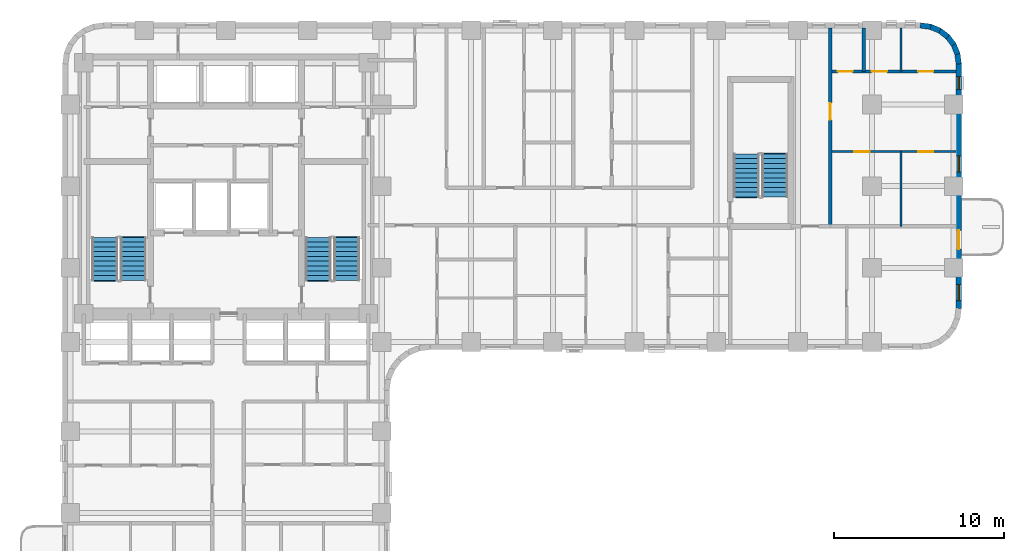
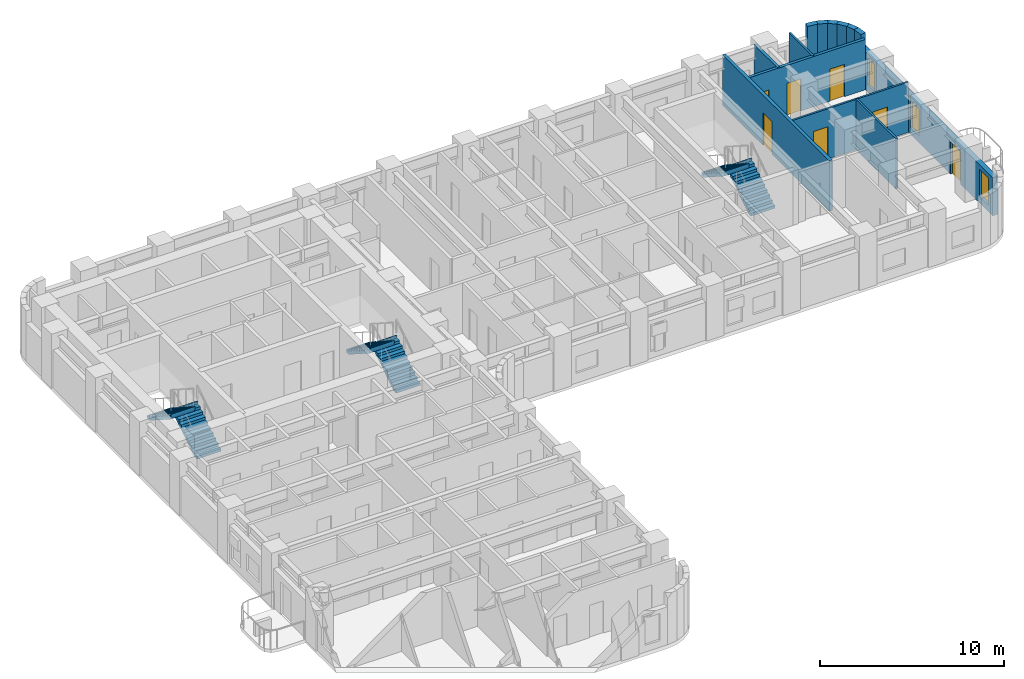
# One storey, part 8 of 10: 13 walls, 7 doors, 6 stair flights, 3 windows, 10 openings, 3 elements without a shape of their own.
"""IFC4 building model written with IfcOpenShell, lengths in metres."""

from ifc_helpers import new_model, si_unit, direction, frame, frame_2d, origin, place, context, subcontext, project, spatial, polyline, rectangle, outline, extrude, material, layer, layer_set, type_object, element, fill, aggregate, save


model = new_model("IFC4")

# Units and contexts
model_context = context("Model", 3, precision=1e-05, world=origin(), true_north=direction((0.0, 1.0)))
body_context = subcontext(model_context, "Body", "Model", "MODEL_VIEW")
ifc_project = project(units=[si_unit("LENGTHUNIT", "METRE"), si_unit("AREAUNIT", "SQUARE_METRE"), si_unit("VOLUMEUNIT", "CUBIC_METRE"), si_unit("PLANEANGLEUNIT", "RADIAN"), si_unit("MASSUNIT", "GRAM", prefix="KILO")], contexts=[model_context])

# Site, building, storey
site_placement = place(None, origin())
site = spatial("IfcSite", under=ifc_project, at=site_placement, CompositionType="ELEMENT")
building_placement = place(site_placement, origin())
building = spatial("IfcBuilding", under=site, at=building_placement, Name="Orvandelia Arch Residences", CompositionType="ELEMENT")
storey_placement = place(building_placement, frame((0.0, 0.0, 28.60009765625)))
storey = spatial("IfcBuildingStorey", under=building, at=storey_placement, Name="L06", CompositionType="ELEMENT", Elevation=28.60009765625)

# Wall, opening, door
ifc_material_1 = material(Name="Fire-Rated Corridor Partition")
ifc_layer_1 = layer(ifc_material_1, 0.199951171875, Name="Fire-Rated Corridor Partition")
ifc_layer_set_1 = layer_set([ifc_layer_1], Name="Fire-Rated Corridor Partition")
wall_type_1 = type_object("IfcWallType", Name="WL-CORR-200", PredefinedType="PARTITIONING", material=ifc_layer_set_1)
wall_1_placement = place(storey_placement, frame((49.89990234375, 36.0400390625, 0.0), z_axis=(0.0, 0.0, 1.0), x_axis=(0.0, 1.0, 0.0)))
wall_1 = element("IfcWall", 1, at=wall_1_placement, inside=storey, type_object=wall_type_1, Name="Interior Partition Wall WL-L06-ETE-E", PredefinedType="PARTITIONING", context=body_context, shape_type="SweptSolid", body=[
    extrude(rectangle(XDim=11.639892578125, YDim=0.199951171875, at=frame_2d((5.81982421875, 0.0))), origin(), (0.0, 0.0, 1.0), 3.349853515625),
])
opening_1_placement = place(wall_1_placement, frame((6.25146484375, 0.0, 0.0)))
opening_1 = element("IfcOpeningElement", 2, at=opening_1_placement, cuts=wall_1, Name="Opening D1", PredefinedType="OPENING", context=body_context, shape_type="SweptSolid", body=[
    extrude(rectangle(XDim=0.97998046875, YDim=2.179931640625, at=frame_2d((0.489990234375, 1.08984375))), frame((0.0, 0.10986328125, 0.0), z_axis=(0.0, -1.0, 0.0), x_axis=(1.0, 0.0, 0.0)), (0.0, 0.0, 1.0), 0.219970703125),
])
ifc_material_2 = material(Name="Solid-Core Timber Acoustic Fire Door", Category="wood")
door_type_1 = type_object("IfcDoorType", Name="DR-ENT-980", OperationType="NOTDEFINED", PredefinedType="DOOR", material=ifc_material_2)
door_1_placement = place(opening_1_placement, origin())
door_1 = element("IfcDoor", 3, at=door_1_placement, inside=storey, type_object=door_type_1, Name="Unit L06-11 Entrance Door", OperationType="SINGLE_SWING_LEFT", OverallHeight=2.179931640625, OverallWidth=0.97998046875, PredefinedType="DOOR", context=body_context, shape_type="SweptSolid", body=[
    extrude(rectangle(XDim=0.97998046875, YDim=2.179931640625, at=frame_2d((0.489990234375, 1.08984375))), frame((0.0, 0.02490234375, 0.0), z_axis=(0.0, -1.0, 0.0), x_axis=(1.0, 0.0, 0.0)), (0.0, 0.0, 1.0), 0.050048828125),
])
fill(opening_1, door_1)

# Walls
ifc_material_3 = material(Name="Precast concrete C40/50", Category="concrete")
ifc_layer_2 = layer(ifc_material_3, 0.320068359375, Name="Precast concrete C40/50", Category="concrete")
ifc_layer_set_2 = layer_set([ifc_layer_2], Name="Precast concrete C40/50")
wall_type_2 = type_object("IfcWallType", Name="WL-EXT-STONE-320", PredefinedType="STANDARD", material=ifc_layer_set_2)
for number, where, z_axis, x_axis, name in (
    (4, (55.17919921875, 47.84130859375, 0.0), (0.0, 0.0, 1.0), (0.9914410257, -0.130555323746, 0.0), "Coral-Limestone Precast Facade Wall L06-008"),
    (5, (55.760009765625, 47.7705078125, 0.0), (0.0, 0.0, 1.0), (0.92389335771, -0.382650053678, 0.0), "Coral-Limestone Precast Facade Wall L06-009"),
):
    element("IfcWall", number, at=place(storey_placement, frame(where, z_axis=z_axis, x_axis=x_axis)), inside=storey, type_object=wall_type_2, Name=name, PredefinedType="STANDARD", context=body_context, shape_type="SweptSolid", body=[
        extrude(rectangle(XDim=0.62646484375, YDim=0.320068359375, at=frame_2d((0.313232421875, 0.0))), origin(), (0.0, 0.0, 1.0), 3.349853515625),
    ])
wall_2_placement = place(storey_placement, frame((56.302490234375, 47.551513671875, 0.0), z_axis=(0.0, 0.0, 1.0), x_axis=(0.793549926411, -0.608505147302, 0.0)))
element("IfcWall", 6, at=wall_2_placement, inside=storey, type_object=wall_type_2, Name="Coral-Limestone Precast Facade Wall L06-010", PredefinedType="STANDARD", context=body_context, shape_type="SweptSolid", body=[
    extrude(rectangle(XDim=0.626708984375, YDim=0.320068359375, at=frame_2d((0.3134765625, 0.0))), origin(), (0.0, 0.0, 1.0), 3.349853515625),
])
for number, where, z_axis, x_axis, name in (
    (7, (56.770263671875, 47.19970703125, 0.0), (0.0, 0.0, 1.0), (0.608693302629, -0.793405610854, 0.0), "Coral-Limestone Precast Facade Wall L06-011"),
    (8, (57.130615234375, 46.73876953125, 0.0), (0.0, 0.0, 1.0), (0.382650053678, -0.92389335771, 0.0), "Coral-Limestone Precast Facade Wall L06-012"),
    (9, (57.359619140625, 46.2001953125, 0.0), (0.0, 0.0, 1.0), (0.130555323746, -0.9914410257, 0.0), "Coral-Limestone Precast Facade Wall L06-013"),
):
    element("IfcWall", number, at=place(storey_placement, frame(where, z_axis=z_axis, x_axis=x_axis)), inside=storey, type_object=wall_type_2, Name=name, PredefinedType="STANDARD", context=body_context, shape_type="SweptSolid", body=[
        extrude(rectangle(XDim=0.62646484375, YDim=0.320068359375, at=frame_2d((0.313232421875, 0.0))), origin(), (0.0, 0.0, 1.0), 3.349853515625),
    ])

# Wall, openings, door, windows
wall_3_placement = place(storey_placement, frame((57.43994140625, 45.60009765625, 0.0), z_axis=(0.0, 0.0, 1.0), x_axis=(0.0, -1.0, 0.0)))
wall_3 = element("IfcWall", 10, at=wall_3_placement, inside=storey, type_object=wall_type_2, Name="Coral-Limestone Precast Facade Wall L06-014", PredefinedType="STANDARD", context=body_context, shape_type="SweptSolid", body=[
    extrude(rectangle(XDim=14.400146484375, YDim=0.320068359375, at=frame_2d((7.2001953125, 0.0))), origin(), (0.0, 0.0, 1.0), 2.52978515625),
])
opening_2_placement = place(wall_3_placement, frame((9.800048828125, 0.0, 0.0)))
opening_2 = element("IfcOpeningElement", 11, at=opening_2_placement, cuts=wall_3, Name="Opening BD1", PredefinedType="OPENING", context=body_context, shape_type="SweptSolid", body=[
    extrude(rectangle(XDim=1.10009765625, YDim=2.14990234375, at=frame_2d((0.550048828125, 1.074951171875))), frame((0.0, 0.169921875, 0.0), z_axis=(0.0, -1.0, 0.0), x_axis=(1.0, 0.0, 0.0)), (0.0, 0.0, 1.0), 0.340087890625),
])
opening_3_placement = place(wall_3_placement, frame((5.427978515625, 0.0, 0.449951171875)))
opening_3 = element("IfcOpeningElement", 12, at=opening_3_placement, cuts=wall_3, Name="Opening W4", PredefinedType="OPENING", context=body_context, shape_type="SweptSolid", body=[
    extrude(rectangle(XDim=0.949951171875, YDim=1.800048828125, at=frame_2d((0.47509765625, 0.89990234375))), frame((0.0, 0.169921875, 0.0), z_axis=(0.0, -1.0, 0.0), x_axis=(1.0, 0.0, 0.0)), (0.0, 0.0, 1.0), 0.340087890625),
])
opening_4_placement = place(wall_3_placement, frame((12.97998046875, 0.0, 0.449951171875)))
opening_4 = element("IfcOpeningElement", 13, at=opening_4_placement, cuts=wall_3, Name="Opening W4", PredefinedType="OPENING", context=body_context, shape_type="SweptSolid", body=[
    extrude(rectangle(XDim=0.949951171875, YDim=1.800048828125, at=frame_2d((0.47509765625, 0.89990234375))), frame((0.0, 0.169921875, 0.0), z_axis=(0.0, -1.0, 0.0), x_axis=(1.0, 0.0, 0.0)), (0.0, 0.0, 1.0), 0.340087890625),
])
opening_5_placement = place(wall_3_placement, frame((0.7705078125, 0.0, 0.449951171875)))
opening_5 = element("IfcOpeningElement", 14, at=opening_5_placement, cuts=wall_3, Name="Opening W11", PredefinedType="OPENING", context=body_context, shape_type="SweptSolid", body=[
    extrude(rectangle(XDim=0.75, YDim=1.800048828125, at=frame_2d((0.375, 0.89990234375))), frame((0.0, 0.169921875, 0.0), z_axis=(0.0, -1.0, 0.0), x_axis=(1.0, 0.0, 0.0)), (0.0, 0.0, 1.0), 0.340087890625),
])
ifc_material_4 = material(Name="Thermally Broken Aluminium Glazed Door", Category="aluminium")
door_type_2 = type_object("IfcDoorType", Name="DR-BAL-GLAZ-1100", OperationType="NOTDEFINED", PredefinedType="DOOR", material=ifc_material_4)
door_2_placement = place(opening_2_placement, origin())
door_2 = element("IfcDoor", 15, at=door_2_placement, inside=storey, type_object=door_type_2, Name="Tree Balcony Glazed Door BAL-L06-E1", OperationType="SINGLE_SWING_LEFT", OverallHeight=2.14990234375, OverallWidth=1.10009765625, PredefinedType="DOOR", context=body_context, shape_type="SweptSolid", body=[
    extrude(rectangle(XDim=1.10009765625, YDim=2.14990234375, at=frame_2d((0.550048828125, 1.074951171875))), frame((0.0, 0.02490234375, 0.0), z_axis=(0.0, -1.0, 0.0), x_axis=(1.0, 0.0, 0.0)), (0.0, 0.0, 1.0), 0.050048828125),
])
fill(opening_2, door_2)
ifc_material_5 = material(Name="Tempered Low-E Insulated Glazing", Category="glass")
window_type_1 = type_object("IfcWindowType", Name="WIN-BED-0750x1800", PartitioningType="SINGLE_PANEL", PredefinedType="WINDOW", material=ifc_material_5)
window_1_placement = place(opening_5_placement, origin())
window_1 = element("IfcWindow", 16, at=window_1_placement, inside=storey, type_object=window_type_1, Name="Recessed Punched Window L06-015", OverallHeight=1.800048828125, OverallWidth=0.75, PartitioningType="SINGLE_PANEL", PredefinedType="WINDOW", context=body_context, shape_type="SweptSolid", body=[
    extrude(rectangle(XDim=0.75, YDim=1.800048828125, at=frame_2d((0.375, 0.89990234375))), frame((0.0, 0.030029296875, 0.0), z_axis=(0.0, -1.0, 0.0), x_axis=(1.0, 0.0, 0.0)), (0.0, 0.0, 1.0), 0.06005859375),
])
fill(opening_5, window_1)
window_type_2 = type_object("IfcWindowType", Name="WIN-RES-0950x1800", PartitioningType="SINGLE_PANEL", PredefinedType="WINDOW", material=ifc_material_5)
window_2_placement = place(opening_3_placement, origin())
window_2 = element("IfcWindow", 17, at=window_2_placement, inside=storey, type_object=window_type_2, Name="Recessed Punched Window L06-013", OverallHeight=1.800048828125, OverallWidth=0.949951171875, PartitioningType="SINGLE_PANEL", PredefinedType="WINDOW", context=body_context, shape_type="SweptSolid", body=[
    extrude(rectangle(XDim=0.949951171875, YDim=1.800048828125, at=frame_2d((0.47509765625, 0.89990234375))), frame((0.0, 0.030029296875, 0.0), z_axis=(0.0, -1.0, 0.0), x_axis=(1.0, 0.0, 0.0)), (0.0, 0.0, 1.0), 0.06005859375),
])
fill(opening_3, window_2)
window_3_placement = place(opening_4_placement, origin())
window_3 = element("IfcWindow", 18, at=window_3_placement, inside=storey, type_object=window_type_2, Name="Recessed Punched Window L06-014", OverallHeight=1.800048828125, OverallWidth=0.949951171875, PartitioningType="SINGLE_PANEL", PredefinedType="WINDOW", context=body_context, shape_type="SweptSolid", body=[
    extrude(rectangle(XDim=0.949951171875, YDim=1.800048828125, at=frame_2d((0.47509765625, 0.89990234375))), frame((0.0, 0.030029296875, 0.0), z_axis=(0.0, -1.0, 0.0), x_axis=(1.0, 0.0, 0.0)), (0.0, 0.0, 1.0), 0.06005859375),
])
fill(opening_4, window_3)

# Wall, openings, doors
ifc_material_6 = material(Name="Lightweight Gypsum Stud Partition")
ifc_layer_3 = layer(ifc_material_6, 0.1201171875, Name="Lightweight Gypsum Stud Partition")
ifc_layer_set_3 = layer_set([ifc_layer_3], Name="Lightweight Gypsum Stud Partition")
wall_type_3 = type_object("IfcWallType", Name="WL-PART-120", PredefinedType="PARTITIONING", material=ifc_layer_set_3)
wall_4_placement = place(storey_placement, frame((50.0, 40.424072265625, 0.0), z_axis=(0.0, 0.0, 1.0), x_axis=(1.0, 0.0, 0.0)))
wall_4 = element("IfcWall", 19, at=wall_4_placement, inside=storey, type_object=wall_type_3, Name="Interior Partition Wall WL-L06-U11-HB", PredefinedType="PARTITIONING", context=body_context, shape_type="SweptSolid", body=[
    extrude(rectangle(XDim=7.280029296875, YDim=0.1201171875, at=frame_2d((3.64013671875, 0.0))), origin(), (0.0, 0.0, 1.0), 3.349853515625),
])
opening_6_placement = place(wall_4_placement, frame((1.30419921875, 0.0, 0.0)))
opening_6 = element("IfcOpeningElement", 20, at=opening_6_placement, cuts=wall_4, Name="Opening D3", PredefinedType="OPENING", context=body_context, shape_type="SweptSolid", body=[
    extrude(rectangle(XDim=0.89990234375, YDim=2.14990234375, at=frame_2d((0.449951171875, 1.074951171875))), frame((0.0, 0.070068359375, 0.0), z_axis=(0.0, -1.0, 0.0), x_axis=(1.0, 0.0, 0.0)), (0.0, 0.0, 1.0), 0.14013671875),
])
opening_7_placement = place(wall_4_placement, frame((5.056884765625, 0.0, 0.0)))
opening_7 = element("IfcOpeningElement", 21, at=opening_7_placement, cuts=wall_4, Name="Opening D3", PredefinedType="OPENING", context=body_context, shape_type="SweptSolid", body=[
    extrude(rectangle(XDim=0.89990234375, YDim=2.14990234375, at=frame_2d((0.449951171875, 1.074951171875))), frame((0.0, 0.070068359375, 0.0), z_axis=(0.0, -1.0, 0.0), x_axis=(1.0, 0.0, 0.0)), (0.0, 0.0, 1.0), 0.14013671875),
])
ifc_material_7 = material(Name="Engineered Timber Flush Door", Category="wood")
door_type_3 = type_object("IfcDoorType", Name="DR-INT-900", OperationType="NOTDEFINED", PredefinedType="DOOR", material=ifc_material_7)
door_3_placement = place(opening_6_placement, origin())
door_3 = element("IfcDoor", 22, at=door_3_placement, inside=storey, type_object=door_type_3, Name="DR-L06-U11-STDY", OperationType="SINGLE_SWING_LEFT", OverallHeight=2.14990234375, OverallWidth=0.89990234375, PredefinedType="DOOR", context=body_context, shape_type="SweptSolid", body=[
    extrude(rectangle(XDim=0.89990234375, YDim=2.14990234375, at=frame_2d((0.449951171875, 1.074951171875))), frame((0.0, 0.02490234375, 0.0), z_axis=(0.0, -1.0, 0.0), x_axis=(1.0, 0.0, 0.0)), (0.0, 0.0, 1.0), 0.050048828125),
])
fill(opening_6, door_3)
door_4_placement = place(opening_7_placement, origin())
door_4 = element("IfcDoor", 23, at=door_4_placement, inside=storey, type_object=door_type_3, Name="DR-L06-U11-BD2", OperationType="SINGLE_SWING_RIGHT", OverallHeight=2.14990234375, OverallWidth=0.89990234375, PredefinedType="DOOR", context=body_context, shape_type="SweptSolid", body=[
    extrude(rectangle(XDim=0.89990234375, YDim=2.14990234375, at=frame_2d((0.449951171875, 1.074951171875))), frame((0.0, 0.02490234375, 0.0), z_axis=(0.0, -1.0, 0.0), x_axis=(1.0, 0.0, 0.0)), (0.0, 0.0, 1.0), 0.050048828125),
])
fill(opening_7, door_4)

# Walls
wall_5_placement = place(storey_placement, frame((54.048095703125, 36.0400390625, 0.0), z_axis=(0.0, 0.0, 1.0), x_axis=(0.0, 1.0, 0.0)))
element("IfcWall", 24, at=wall_5_placement, inside=storey, type_object=wall_type_3, Name="Interior Partition Wall WL-L06-U11-VB", PredefinedType="PARTITIONING", context=body_context, shape_type="SweptSolid", body=[
    extrude(rectangle(XDim=4.384033203125, YDim=0.1201171875, at=frame_2d((2.19189453125, 0.0))), origin(), (0.0, 0.0, 1.0), 3.349853515625),
])
wall_6_placement = place(storey_placement, frame((54.048095703125, 45.138916015625, 0.0), z_axis=(0.0, 0.0, 1.0), x_axis=(0.0, 1.0, 0.0)))
element("IfcWall", 25, at=wall_6_placement, inside=storey, type_object=wall_type_3, Name="Interior Partition Wall WL-L06-U11-V2", PredefinedType="PARTITIONING", context=body_context, shape_type="SweptSolid", body=[
    extrude(rectangle(XDim=2.541015625, YDim=0.1201171875, at=frame_2d((1.2705078125, 0.0))), origin(), (0.0, 0.0, 1.0), 3.349853515625),
])

# Wall, openings, doors
ifc_material_8 = material(Name="Moisture-Resistant Plumbing Wall")
ifc_layer_4 = layer(ifc_material_8, 0.179931640625, Name="Moisture-Resistant Plumbing Wall")
ifc_layer_set_4 = layer_set([ifc_layer_4], Name="Moisture-Resistant Plumbing Wall")
wall_type_4 = type_object("IfcWallType", Name="WL-WET-180", PredefinedType="PLUMBINGWALL", material=ifc_layer_set_4)
wall_7_placement = place(storey_placement, frame((50.0, 45.138916015625, 0.0), z_axis=(0.0, 0.0, 1.0), x_axis=(1.0, 0.0, 0.0)))
wall_7 = element("IfcWall", 26, at=wall_7_placement, inside=storey, type_object=wall_type_4, Name="Interior Partition Wall WL-L06-U11-HZ", PredefinedType="PLUMBINGWALL", context=body_context, shape_type="SweptSolid", body=[
    extrude(rectangle(XDim=7.280029296875, YDim=0.179931640625, at=frame_2d((3.64013671875, 0.0))), origin(), (0.0, 0.0, 1.0), 3.349853515625),
])
opening_8_placement = place(wall_7_placement, frame((0.343017578125, 0.0, 0.0)))
opening_8 = element("IfcOpeningElement", 27, at=opening_8_placement, cuts=wall_7, Name="Opening D4", PredefinedType="OPENING", context=body_context, shape_type="SweptSolid", body=[
    extrude(rectangle(XDim=0.860107421875, YDim=2.10009765625, at=frame_2d((0.43017578125, 1.050048828125))), frame((0.0, 0.10009765625, 0.0), z_axis=(0.0, -1.0, 0.0), x_axis=(1.0, 0.0, 0.0)), (0.0, 0.0, 1.0), 0.199951171875),
])
opening_9_placement = place(wall_7_placement, frame((2.328125, 0.0, 0.0)))
opening_9 = element("IfcOpeningElement", 28, at=opening_9_placement, cuts=wall_7, Name="Opening D3", PredefinedType="OPENING", context=body_context, shape_type="SweptSolid", body=[
    extrude(rectangle(XDim=0.89990234375, YDim=2.14990234375, at=frame_2d((0.449951171875, 1.074951171875))), frame((0.0, 0.10009765625, 0.0), z_axis=(0.0, -1.0, 0.0), x_axis=(1.0, 0.0, 0.0)), (0.0, 0.0, 1.0), 0.199951171875),
])
opening_10_placement = place(wall_7_placement, frame((5.056884765625, 0.0, 0.0)))
opening_10 = element("IfcOpeningElement", 29, at=opening_10_placement, cuts=wall_7, Name="Opening D3", PredefinedType="OPENING", context=body_context, shape_type="SweptSolid", body=[
    extrude(rectangle(XDim=0.89990234375, YDim=2.14990234375, at=frame_2d((0.449951171875, 1.074951171875))), frame((0.0, 0.10009765625, 0.0), z_axis=(0.0, -1.0, 0.0), x_axis=(1.0, 0.0, 0.0)), (0.0, 0.0, 1.0), 0.199951171875),
])
door_5_placement = place(opening_9_placement, origin())
door_5 = element("IfcDoor", 30, at=door_5_placement, inside=storey, type_object=door_type_3, Name="DR-L06-U11-KIT", OperationType="SINGLE_SWING_LEFT", OverallHeight=2.14990234375, OverallWidth=0.89990234375, PredefinedType="DOOR", context=body_context, shape_type="SweptSolid", body=[
    extrude(rectangle(XDim=0.89990234375, YDim=2.14990234375, at=frame_2d((0.449951171875, 1.074951171875))), frame((0.0, 0.02490234375, 0.0), z_axis=(0.0, -1.0, 0.0), x_axis=(1.0, 0.0, 0.0)), (0.0, 0.0, 1.0), 0.050048828125),
])
fill(opening_9, door_5)
door_6_placement = place(opening_10_placement, origin())
door_6 = element("IfcDoor", 31, at=door_6_placement, inside=storey, type_object=door_type_3, Name="DR-L06-U11-BD1", OperationType="SINGLE_SWING_RIGHT", OverallHeight=2.14990234375, OverallWidth=0.89990234375, PredefinedType="DOOR", context=body_context, shape_type="SweptSolid", body=[
    extrude(rectangle(XDim=0.89990234375, YDim=2.14990234375, at=frame_2d((0.449951171875, 1.074951171875))), frame((0.0, 0.02490234375, 0.0), z_axis=(0.0, -1.0, 0.0), x_axis=(1.0, 0.0, 0.0)), (0.0, 0.0, 1.0), 0.050048828125),
])
fill(opening_10, door_6)
ifc_material_9 = material(Name="Moisture-Sealed Timber Bathroom Door", Category="wood")
door_type_4 = type_object("IfcDoorType", Name="DR-WET-900", OperationType="NOTDEFINED", PredefinedType="DOOR", material=ifc_material_9)
door_7_placement = place(opening_8_placement, origin())
door_7 = element("IfcDoor", 32, at=door_7_placement, inside=storey, type_object=door_type_4, Name="DR-L06-U11-BTH", OperationType="SINGLE_SWING_RIGHT", OverallHeight=2.10009765625, OverallWidth=0.860107421875, PredefinedType="DOOR", context=body_context, shape_type="SweptSolid", body=[
    extrude(rectangle(XDim=0.860107421875, YDim=2.10009765625, at=frame_2d((0.43017578125, 1.050048828125))), frame((0.0, 0.02490234375, 0.0), z_axis=(0.0, -1.0, 0.0), x_axis=(1.0, 0.0, 0.0)), (0.0, 0.0, 1.0), 0.050048828125),
])
fill(opening_8, door_7)

# Wall
wall_8_placement = place(storey_placement, frame((51.862060546875, 45.138916015625, 0.0), z_axis=(0.0, 0.0, 1.0), x_axis=(0.0, 1.0, 0.0)))
element("IfcWall", 33, at=wall_8_placement, inside=storey, type_object=wall_type_4, Name="Interior Partition Wall WL-L06-U11-V1", PredefinedType="PLUMBINGWALL", context=body_context, shape_type="SweptSolid", body=[
    extrude(rectangle(XDim=2.541015625, YDim=0.179931640625, at=frame_2d((1.2705078125, 0.0))), origin(), (0.0, 0.0, 1.0), 3.349853515625),
])

# Stair, stair flights
ifc_material_10 = material(Name="Concrete C40/50", Category="concrete")
stair_type = type_object("IfcStairType", Name="STAIR-RC-DOGLEG", PredefinedType="HALF_TURN_STAIR", material=ifc_material_10)
stair_1_placement = place(storey_placement, origin())
stair_1 = element("IfcStair", 34, at=stair_1_placement, inside=storey, type_object=stair_type, Name="L06 Protected Exit Stair ST-1", PredefinedType="HALF_TURN_STAIR")
stair_flight_type = type_object("IfcStairFlightType", Name="STFLT-RC-1520", PredefinedType="STRAIGHT", material=ifc_material_10)
stair_flight_1_placement = place(storey_placement, frame((8.9599609375, 32.8701171875, 0.0), z_axis=(0.0, 0.0, 1.0), x_axis=(0.0, 1.0, 0.0)))
stair_flight_1 = element("IfcStairFlight", 35, at=stair_flight_1_placement, type_object=stair_flight_type, Name="ST-1 flight 1", NumberOfRisers=10, NumberOfTreads=9, PredefinedType="STRAIGHT", RiserHeight=0.18, TreadLength=0.28, context=body_context, shape_type="SweptSolid", body=[
    extrude(outline(polyline([(0.0, 0.0), (0.0, 0.179931640625), (0.280029296875, 0.179931640625), (0.280029296875, 0.360107421875), (0.56005859375, 0.360107421875), (0.56005859375, 0.5400390625), (0.840087890625, 0.5400390625), (0.840087890625, 0.719970703125), (1.1201171875, 0.719970703125), (1.1201171875, 0.89990234375), (1.39990234375, 0.89990234375), (1.39990234375, 1.080078125), (1.679931640625, 1.080078125), (1.679931640625, 1.260009765625), (1.9599609375, 1.260009765625), (1.9599609375, 1.43994140625), (2.239990234375, 1.43994140625), (2.239990234375, 1.6201171875), (2.52001953125, 1.6201171875), (2.52001953125, 1.800048828125), (2.580078125, 1.800048828125), (2.580078125, 1.6201171875), (2.52001953125, 1.44189453125), (0.277099609375, 0.0), (0.0, 0.0)])), frame((0.0, 0.760009765625, 0.0), z_axis=(0.0, -1.0, 0.0), x_axis=(1.0, 0.0, 0.0)), (0.0, 0.0, 1.0), 1.52001953125),
])
stair_flight_2_placement = place(storey_placement, frame((7.2900390625, 35.389892578125, 1.7998046875), z_axis=(0.0, 0.0, 1.0), x_axis=(0.0, -1.0, 0.0)))
stair_flight_2 = element("IfcStairFlight", 36, at=stair_flight_2_placement, type_object=stair_flight_type, Name="ST-1 flight 2", NumberOfRisers=10, NumberOfTreads=9, PredefinedType="STRAIGHT", RiserHeight=0.18, TreadLength=0.28, context=body_context, shape_type="SweptSolid", body=[
    extrude(outline(polyline([(0.0, 0.0), (0.0, 0.179931640625), (0.280029296875, 0.179931640625), (0.280029296875, 0.360107421875), (0.56005859375, 0.360107421875), (0.56005859375, 0.5400390625), (0.840087890625, 0.5400390625), (0.840087890625, 0.719970703125), (1.1201171875, 0.719970703125), (1.1201171875, 0.89990234375), (1.39990234375, 0.89990234375), (1.39990234375, 1.080078125), (1.679931640625, 1.080078125), (1.679931640625, 1.260009765625), (1.9599609375, 1.260009765625), (1.9599609375, 1.43994140625), (2.239990234375, 1.43994140625), (2.239990234375, 1.6201171875), (2.52001953125, 1.6201171875), (2.52001953125, 1.800048828125), (2.580078125, 1.800048828125), (2.580078125, 1.6201171875), (2.52001953125, 1.44189453125), (0.277099609375, 0.0), (0.0, 0.0)])), frame((0.0, 0.760009765625, 0.0), z_axis=(0.0, -1.0, 0.0), x_axis=(1.0, 0.0, 0.0)), (0.0, 0.0, 1.0), 1.52001953125),
])
aggregate(stair_1, [stair_flight_1, stair_flight_2])

stair_2_placement = place(storey_placement, origin())
stair_2 = element("IfcStair", 37, at=stair_2_placement, inside=storey, type_object=stair_type, Name="L06 Protected Exit Stair ST-2", PredefinedType="HALF_TURN_STAIR")
stair_flight_3_placement = place(storey_placement, frame((21.489990234375, 32.8701171875, 0.0), z_axis=(0.0, 0.0, 1.0), x_axis=(0.0, 1.0, 0.0)))
stair_flight_3 = element("IfcStairFlight", 38, at=stair_flight_3_placement, type_object=stair_flight_type, Name="ST-2 flight 1", NumberOfRisers=10, NumberOfTreads=9, PredefinedType="STRAIGHT", RiserHeight=0.18, TreadLength=0.28, context=body_context, shape_type="SweptSolid", body=[
    extrude(outline(polyline([(0.0, 0.0), (0.0, 0.179931640625), (0.280029296875, 0.179931640625), (0.280029296875, 0.360107421875), (0.56005859375, 0.360107421875), (0.56005859375, 0.5400390625), (0.840087890625, 0.5400390625), (0.840087890625, 0.719970703125), (1.1201171875, 0.719970703125), (1.1201171875, 0.89990234375), (1.39990234375, 0.89990234375), (1.39990234375, 1.080078125), (1.679931640625, 1.080078125), (1.679931640625, 1.260009765625), (1.9599609375, 1.260009765625), (1.9599609375, 1.43994140625), (2.239990234375, 1.43994140625), (2.239990234375, 1.6201171875), (2.52001953125, 1.6201171875), (2.52001953125, 1.800048828125), (2.580078125, 1.800048828125), (2.580078125, 1.6201171875), (2.52001953125, 1.44189453125), (0.277099609375, 0.0), (0.0, 0.0)])), frame((0.0, 0.760009765625, 0.0), z_axis=(0.0, -1.0, 0.0), x_axis=(1.0, 0.0, 0.0)), (0.0, 0.0, 1.0), 1.52001953125),
])
stair_flight_4_placement = place(storey_placement, frame((19.820068359375, 35.389892578125, 1.7998046875), z_axis=(0.0, 0.0, 1.0), x_axis=(0.0, -1.0, 0.0)))
stair_flight_4 = element("IfcStairFlight", 39, at=stair_flight_4_placement, type_object=stair_flight_type, Name="ST-2 flight 2", NumberOfRisers=10, NumberOfTreads=9, PredefinedType="STRAIGHT", RiserHeight=0.18, TreadLength=0.28, context=body_context, shape_type="SweptSolid", body=[
    extrude(outline(polyline([(0.0, 0.0), (0.0, 0.179931640625), (0.280029296875, 0.179931640625), (0.280029296875, 0.360107421875), (0.56005859375, 0.360107421875), (0.56005859375, 0.5400390625), (0.840087890625, 0.5400390625), (0.840087890625, 0.719970703125), (1.1201171875, 0.719970703125), (1.1201171875, 0.89990234375), (1.39990234375, 0.89990234375), (1.39990234375, 1.080078125), (1.679931640625, 1.080078125), (1.679931640625, 1.260009765625), (1.9599609375, 1.260009765625), (1.9599609375, 1.43994140625), (2.239990234375, 1.43994140625), (2.239990234375, 1.6201171875), (2.52001953125, 1.6201171875), (2.52001953125, 1.800048828125), (2.580078125, 1.800048828125), (2.580078125, 1.6201171875), (2.52001953125, 1.44189453125), (0.277099609375, 0.0), (0.0, 0.0)])), frame((0.0, 0.760009765625, 0.0), z_axis=(0.0, -1.0, 0.0), x_axis=(1.0, 0.0, 0.0)), (0.0, 0.0, 1.0), 1.52001953125),
])
aggregate(stair_2, [stair_flight_3, stair_flight_4])

stair_3_placement = place(storey_placement, origin())
stair_3 = element("IfcStair", 40, at=stair_3_placement, inside=storey, type_object=stair_type, Name="L06 East Wing Exit Stair ST-3", PredefinedType="HALF_TURN_STAIR")
stair_flight_5_placement = place(storey_placement, frame((46.639892578125, 37.77001953125, 0.0), z_axis=(0.0, 0.0, 1.0), x_axis=(0.0, 1.0, 0.0)))
stair_flight_5 = element("IfcStairFlight", 41, at=stair_flight_5_placement, type_object=stair_flight_type, Name="ST-3 flight 1", NumberOfRisers=10, NumberOfTreads=9, PredefinedType="STRAIGHT", RiserHeight=0.18, TreadLength=0.28, context=body_context, shape_type="SweptSolid", body=[
    extrude(outline(polyline([(0.0, 0.0), (0.0, 0.179931640625), (0.280029296875, 0.179931640625), (0.280029296875, 0.360107421875), (0.56005859375, 0.360107421875), (0.56005859375, 0.5400390625), (0.840087890625, 0.5400390625), (0.840087890625, 0.719970703125), (1.1201171875, 0.719970703125), (1.1201171875, 0.89990234375), (1.39990234375, 0.89990234375), (1.39990234375, 1.080078125), (1.679931640625, 1.080078125), (1.679931640625, 1.260009765625), (1.9599609375, 1.260009765625), (1.9599609375, 1.43994140625), (2.239990234375, 1.43994140625), (2.239990234375, 1.6201171875), (2.52001953125, 1.6201171875), (2.52001953125, 1.800048828125), (2.580078125, 1.800048828125), (2.580078125, 1.6201171875), (2.52001953125, 1.44189453125), (0.277099609375, 0.0), (0.0, 0.0)])), frame((0.0, 0.760009765625, 0.0), z_axis=(0.0, -1.0, 0.0), x_axis=(1.0, 0.0, 0.0)), (0.0, 0.0, 1.0), 1.52001953125),
])
stair_flight_6_placement = place(storey_placement, frame((44.969970703125, 40.2900390625, 1.7998046875), z_axis=(0.0, 0.0, 1.0), x_axis=(0.0, -1.0, 0.0)))
stair_flight_6 = element("IfcStairFlight", 42, at=stair_flight_6_placement, type_object=stair_flight_type, Name="ST-3 flight 2", NumberOfRisers=10, NumberOfTreads=9, PredefinedType="STRAIGHT", RiserHeight=0.18, TreadLength=0.28, context=body_context, shape_type="SweptSolid", body=[
    extrude(outline(polyline([(0.0, 0.0), (0.0, 0.179931640625), (0.280029296875, 0.179931640625), (0.280029296875, 0.360107421875), (0.56005859375, 0.360107421875), (0.56005859375, 0.5400390625), (0.840087890625, 0.5400390625), (0.840087890625, 0.719970703125), (1.1201171875, 0.719970703125), (1.1201171875, 0.89990234375), (1.39990234375, 0.89990234375), (1.39990234375, 1.080078125), (1.679931640625, 1.080078125), (1.679931640625, 1.260009765625), (1.9599609375, 1.260009765625), (1.9599609375, 1.43994140625), (2.239990234375, 1.43994140625), (2.239990234375, 1.6201171875), (2.52001953125, 1.6201171875), (2.52001953125, 1.800048828125), (2.580078125, 1.800048828125), (2.580078125, 1.6201171875), (2.52001953125, 1.44189453125), (0.277099609375, 0.0), (0.0, 0.0)])), frame((0.0, 0.760009765625, 0.0), z_axis=(0.0, -1.0, 0.0), x_axis=(1.0, 0.0, 0.0)), (0.0, 0.0, 1.0), 1.52001953125),
])
aggregate(stair_3, [stair_flight_5, stair_flight_6])

save(model, "model.ifc")
